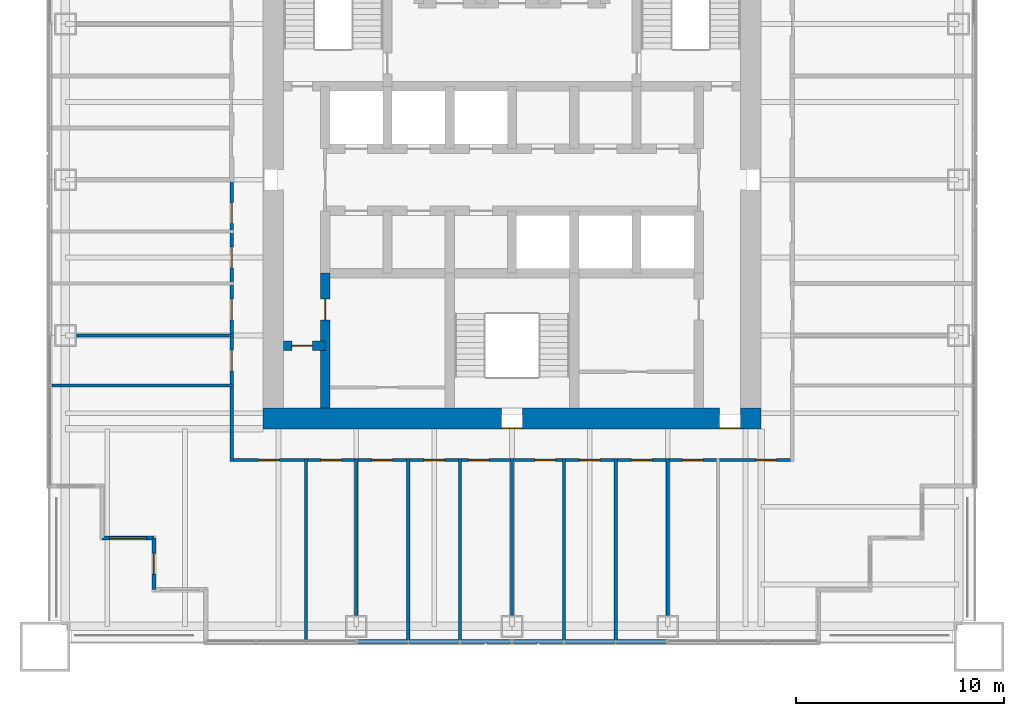
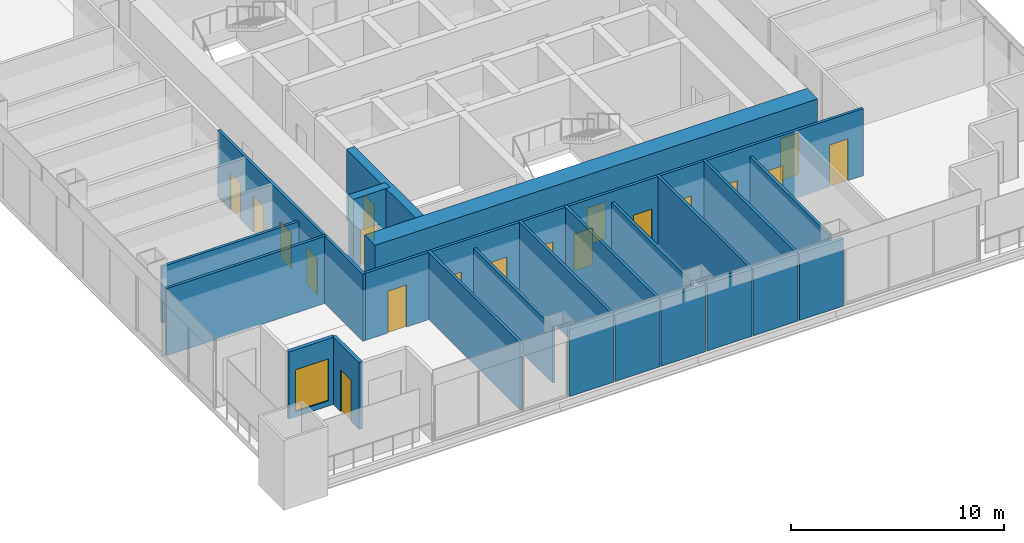
# One storey, part 8 of 14: 23 walls, 19 doors, 1 window, 20 openings.
"""IFC4 building model written with IfcOpenShell, lengths in metres."""

from ifc_helpers import new_model, si_unit, direction, frame, frame_2d, origin, place, context, subcontext, project, spatial, rectangle, extrude, material, layer, layer_set, type_object, element, fill, save


model = new_model("IFC4")

# Units and contexts
model_context = context("Model", 3, precision=1e-05, world=origin(), true_north=direction((0.0, 1.0)))
body_context = subcontext(model_context, "Body", "Model", "MODEL_VIEW")
ifc_project = project(units=[si_unit("LENGTHUNIT", "METRE"), si_unit("AREAUNIT", "SQUARE_METRE"), si_unit("VOLUMEUNIT", "CUBIC_METRE"), si_unit("PLANEANGLEUNIT", "RADIAN"), si_unit("MASSUNIT", "GRAM", prefix="KILO")], contexts=[model_context])

# Site, building, storey
site_placement = place(None, origin())
site = spatial("IfcSite", under=ifc_project, at=site_placement, CompositionType="ELEMENT")
building_placement = place(site_placement, origin())
building = spatial("IfcBuilding", under=site, at=building_placement, Name="Tarangal Relay Tower", CompositionType="ELEMENT")
storey_placement = place(building_placement, frame((0.0, 0.0, 229.89990234375)))
storey = spatial("IfcBuildingStorey", under=building, at=storey_placement, Name="L49", CompositionType="ELEMENT", Elevation=229.89990234375)

# Wall, opening, door
ifc_material_1 = material(Name="Concrete fc' 60 MPa", Category="concrete")
ifc_layer_1 = layer(ifc_material_1, 0.449951171875)
ifc_layer_set_1 = layer_set([ifc_layer_1], Name="Core inner wall 450")
wall_type_1 = type_object("IfcWallType", Name="Core inner wall 450", PredefinedType="SHEAR", material=ifc_layer_set_1)
wall_1_placement = place(storey_placement, frame((-11.0, -8.0, 0.0), z_axis=(0.0, 0.0, 1.0), x_axis=(1.0, 0.0, 0.0)))
wall_1 = element("IfcWall", 1, at=wall_1_placement, inside=storey, type_object=wall_type_1, Name="Core wall YM8 L49", PredefinedType="SHEAR", context=body_context, shape_type="SweptSolid", body=[
    extrude(rectangle(XDim=2.0, YDim=0.449951171875, at=frame_2d((1.0, 0.0))), origin(), (0.0, 0.0, 1.0), 4.0),
])
opening_1_placement = place(wall_1_placement, frame((0.39990234375, 0.0, 0.0)))
opening_1 = element("IfcOpeningElement", 2, at=opening_1_placement, cuts=wall_1, Name="Opening D1", PredefinedType="OPENING", context=body_context, shape_type="SweptSolid", body=[
    extrude(rectangle(XDim=1.0, YDim=2.10009765625, at=frame_2d((0.5, 1.050048828125))), frame((0.0, 0.23486328125, 0.0), z_axis=(0.0, -1.0, 0.0), x_axis=(1.0, 0.0, 0.0)), (0.0, 0.0, 1.0), 0.469970703125),
])
ifc_material_2 = material(Name="Hardwood door", Category="wood")
door_type_1 = type_object("IfcDoorType", Name="WC door 1000 x 2100", OperationType="SINGLE_SWING_LEFT", PredefinedType="DOOR", material=ifc_material_2)
door_1_placement = place(opening_1_placement, origin())
door_1 = element("IfcDoor", 3, at=door_1_placement, inside=storey, type_object=door_type_1, Name="Accessible WC door L49", OperationType="SINGLE_SWING_LEFT", OverallHeight=2.10009765625, OverallWidth=1.0, PredefinedType="DOOR", context=body_context, shape_type="SweptSolid", body=[
    extrude(rectangle(XDim=1.0, YDim=2.10009765625, at=frame_2d((0.5, 1.050048828125))), frame((0.0, 0.02490234375, 0.0), z_axis=(0.0, -1.0, 0.0), x_axis=(1.0, 0.0, 0.0)), (0.0, 0.0, 1.0), 0.050048828125),
])
fill(opening_1, door_1)

wall_2_placement = place(storey_placement, frame((-9.0, -11.0, 0.0), z_axis=(0.0, 0.0, 1.0), x_axis=(0.0, 1.0, 0.0)))
wall_2 = element("IfcWall", 4, at=wall_2_placement, inside=storey, type_object=wall_type_1, Name="Core wall XM9W L49", PredefinedType="SHEAR", context=body_context, shape_type="SweptSolid", body=[
    extrude(rectangle(XDim=6.5, YDim=0.449951171875, at=frame_2d((3.25, 0.0))), origin(), (0.0, 0.0, 1.0), 4.0),
])
opening_2_placement = place(wall_2_placement, frame((4.25, 0.0, 0.0)))
opening_2 = element("IfcOpeningElement", 5, at=opening_2_placement, cuts=wall_2, Name="Opening D1", PredefinedType="OPENING", context=body_context, shape_type="SweptSolid", body=[
    extrude(rectangle(XDim=1.0, YDim=2.10009765625, at=frame_2d((0.5, 1.050048828125))), frame((0.0, 0.23486328125, 0.0), z_axis=(0.0, -1.0, 0.0), x_axis=(1.0, 0.0, 0.0)), (0.0, 0.0, 1.0), 0.469970703125),
])
door_2_placement = place(opening_2_placement, origin())
door_2 = element("IfcDoor", 6, at=door_2_placement, inside=storey, type_object=door_type_1, Name="Male WC door L49", OperationType="SINGLE_SWING_LEFT", OverallHeight=2.10009765625, OverallWidth=1.0, PredefinedType="DOOR", context=body_context, shape_type="SweptSolid", body=[
    extrude(rectangle(XDim=1.0, YDim=2.10009765625, at=frame_2d((0.5, 1.050048828125))), frame((0.0, 0.02490234375, 0.0), z_axis=(0.0, -1.0, 0.0), x_axis=(1.0, 0.0, 0.0)), (0.0, 0.0, 1.0), 0.050048828125),
])
fill(opening_2, door_2)

# Wall, openings, doors
ifc_layer_2 = layer(ifc_material_1, 1.0)
ifc_layer_set_2 = layer_set([ifc_layer_2], Name="Core wall 1000")
wall_type_2 = type_object("IfcWallType", Name="Core wall 1000", PredefinedType="SHEAR", material=ifc_layer_set_2)
wall_3_placement = place(storey_placement, frame((12.0, -11.5, 0.0), z_axis=(0.0, 0.0, 1.0), x_axis=(-1.0, 0.0, 0.0)))
wall_3 = element("IfcWall", 7, at=wall_3_placement, inside=storey, type_object=wall_type_2, Name="Core wall S L49", PredefinedType="SHEAR", context=body_context, shape_type="SweptSolid", body=[
    extrude(rectangle(XDim=24.0, YDim=1.0, at=frame_2d((12.0, 0.0))), origin(), (0.0, 0.0, 1.0), 4.0),
])
opening_3_placement = place(wall_3_placement, frame((11.5, 0.0, 0.0)))
opening_3 = element("IfcOpeningElement", 8, at=opening_3_placement, cuts=wall_3, Name="Opening FD1", PredefinedType="OPENING", context=body_context, shape_type="SweptSolid", body=[
    extrude(rectangle(XDim=1.0, YDim=2.10009765625, at=frame_2d((0.5, 1.050048828125))), frame((0.0, 0.510009765625, 0.0), z_axis=(0.0, -1.0, 0.0), x_axis=(1.0, 0.0, 0.0)), (0.0, 0.0, 1.0), 1.02001953125),
])
opening_4_placement = place(wall_3_placement, frame((1.0, 0.0, 0.0)))
opening_4 = element("IfcOpeningElement", 9, at=opening_4_placement, cuts=wall_3, Name="Opening FD3", PredefinedType="OPENING", context=body_context, shape_type="SweptSolid", body=[
    extrude(rectangle(XDim=1.0, YDim=2.39990234375, at=frame_2d((0.5, 1.199951171875))), frame((0.0, 0.510009765625, 0.0), z_axis=(0.0, -1.0, 0.0), x_axis=(1.0, 0.0, 0.0)), (0.0, 0.0, 1.0), 1.02001953125),
])
ifc_material_3 = material(Name="Steel door with hardwood frame", Category="steel")
door_type_2 = type_object("IfcDoorType", Name="Fire door 1000 x 2100", OperationType="SINGLE_SWING_LEFT", PredefinedType="DOOR", material=ifc_material_3)
door_3_placement = place(opening_3_placement, origin())
door_3 = element("IfcDoor", 10, at=door_3_placement, inside=storey, type_object=door_type_2, Name="Stair ST-C door L49", OperationType="SINGLE_SWING_LEFT", OverallHeight=2.10009765625, OverallWidth=1.0, PredefinedType="DOOR", context=body_context, shape_type="SweptSolid", body=[
    extrude(rectangle(XDim=1.0, YDim=2.10009765625, at=frame_2d((0.5, 1.050048828125))), frame((0.0, 0.48486328125, 0.0), z_axis=(0.0, -1.0, 0.0), x_axis=(1.0, 0.0, 0.0)), (0.0, 0.0, 1.0), 0.050048828125),
])
fill(opening_3, door_3)
door_type_3 = type_object("IfcDoorType", Name="Fire door 1000 x 2400 core entry", OperationType="SINGLE_SWING_RIGHT", PredefinedType="DOOR", material=ifc_material_3)
door_4_placement = place(opening_4_placement, origin())
door_4 = element("IfcDoor", 11, at=door_4_placement, inside=storey, type_object=door_type_3, Name="Core entry door south east L49", OperationType="SINGLE_SWING_RIGHT", OverallHeight=2.39990234375, OverallWidth=1.0, PredefinedType="DOOR", context=body_context, shape_type="SweptSolid", body=[
    extrude(rectangle(XDim=1.0, YDim=2.39990234375, at=frame_2d((0.5, 1.199951171875))), frame((0.0, 0.48486328125, 0.0), z_axis=(0.0, -1.0, 0.0), x_axis=(1.0, 0.0, 0.0)), (0.0, 0.0, 1.0), 0.050048828125),
])
fill(opening_4, door_4)

# Wall, opening, door
ifc_material_4 = material(Name="Black metal clad insulated wall", Category="steel")
ifc_layer_3 = layer(ifc_material_4, 0.199951171875)
ifc_layer_set_3 = layer_set([ifc_layer_3], Name="Corner wall metal clad 200")
wall_type_3 = type_object("IfcWallType", Name="Corner wall metal clad 200", PredefinedType="SOLIDWALL", material=ifc_layer_set_3)
wall_4_placement = place(storey_placement, frame((-17.25, -19.75, 0.0), z_axis=(0.0, 0.0, 1.0), x_axis=(0.0, 1.0, 0.0)))
wall_4 = element("IfcWall", 12, at=wall_4_placement, inside=storey, type_object=wall_type_3, Name="Facade wall S facade L49", PredefinedType="SOLIDWALL", context=body_context, shape_type="SweptSolid", body=[
    extrude(rectangle(XDim=2.5, YDim=0.199951171875, at=frame_2d((1.25, 0.0))), origin(), (0.0, 0.0, 1.0), 3.85009765625),
])
opening_5_placement = place(wall_4_placement, frame((0.75, 0.0, 0.0)))
opening_5 = element("IfcOpeningElement", 13, at=opening_5_placement, cuts=wall_4, Name="Opening TD1", PredefinedType="OPENING", context=body_context, shape_type="SweptSolid", body=[
    extrude(rectangle(XDim=1.0, YDim=2.39990234375, at=frame_2d((0.5, 1.199951171875))), frame((0.0, 0.10986328125, 0.0), z_axis=(0.0, -1.0, 0.0), x_axis=(1.0, 0.0, 0.0)), (0.0, 0.0, 1.0), 0.219970703125),
])
ifc_material_5 = material(Name="Aluminium glazed door", Category="aluminium")
door_type_4 = type_object("IfcDoorType", Name="Terrace door 1000 x 2400", OperationType="SINGLE_SWING_RIGHT", PredefinedType="DOOR", material=ifc_material_5)
door_5_placement = place(opening_5_placement, origin())
door_5 = element("IfcDoor", 14, at=door_5_placement, inside=storey, type_object=door_type_4, Name="Terrace door TD1 SW L49", OperationType="SINGLE_SWING_RIGHT", OverallHeight=2.39990234375, OverallWidth=1.0, PredefinedType="DOOR", context=body_context, shape_type="SweptSolid", body=[
    extrude(rectangle(XDim=1.0, YDim=2.39990234375, at=frame_2d((0.5, 1.199951171875))), frame((0.0, 0.02490234375, 0.0), z_axis=(0.0, -1.0, 0.0), x_axis=(1.0, 0.0, 0.0)), (0.0, 0.0, 1.0), 0.050048828125),
])
fill(opening_5, door_5)

# Wall, opening, window
wall_5_placement = place(storey_placement, frame((-17.25, -17.25, 0.0), z_axis=(0.0, 0.0, 1.0), x_axis=(-1.0, 0.0, 0.0)))
wall_5 = element("IfcWall", 15, at=wall_5_placement, inside=storey, type_object=wall_type_3, Name="Facade wall S facade L49", PredefinedType="SOLIDWALL", context=body_context, shape_type="SweptSolid", body=[
    extrude(rectangle(XDim=2.5, YDim=0.199951171875, at=frame_2d((1.25, 0.0))), origin(), (0.0, 0.0, 1.0), 3.85009765625),
])
opening_6_placement = place(wall_5_placement, frame((0.35009765625, 0.0, 0.300048828125)))
opening_6 = element("IfcOpeningElement", 16, at=opening_6_placement, cuts=wall_5, Name="Opening WN2", PredefinedType="OPENING", context=body_context, shape_type="SweptSolid", body=[
    extrude(rectangle(XDim=1.800048828125, YDim=2.39990234375, at=frame_2d((0.89990234375, 1.199951171875))), frame((0.0, 0.10986328125, 0.0), z_axis=(0.0, -1.0, 0.0), x_axis=(1.0, 0.0, 0.0)), (0.0, 0.0, 1.0), 0.219970703125),
])
ifc_material_6 = material(Name="Dark tinted double glazing in black aluminium frame", Category="aluminium")
window_type = type_object("IfcWindowType", Name="Corner window 1800 x 2400", PartitioningType="SINGLE_PANEL", PredefinedType="WINDOW", material=ifc_material_6)
window_placement = place(opening_6_placement, origin())
window = element("IfcWindow", 17, at=window_placement, inside=storey, type_object=window_type, Name="Corner window WN2 S facade L49", OverallHeight=2.39990234375, OverallWidth=1.800048828125, PartitioningType="SINGLE_PANEL", PredefinedType="WINDOW", context=body_context, shape_type="SweptSolid", body=[
    extrude(rectangle(XDim=1.800048828125, YDim=2.39990234375, at=frame_2d((0.89990234375, 1.199951171875))), frame((0.0, 0.030029296875, 0.0), z_axis=(0.0, -1.0, 0.0), x_axis=(1.0, 0.0, 0.0)), (0.0, 0.0, 1.0), 0.06005859375),
])
fill(opening_6, window)

# Walls
ifc_layer_4 = layer(ifc_material_4, 0.199951171875)
ifc_layer_set_4 = layer_set([ifc_layer_4], Name="Facade infill wall metal clad 200")
wall_type_4 = type_object("IfcWallType", Name="Facade infill wall metal clad 200", PredefinedType="SOLIDWALL", material=ifc_layer_set_4)
wall_6_placement = place(storey_placement, frame((7.43505859375, -22.25, 0.0), z_axis=(0.0, 0.0, 1.0), x_axis=(-1.0, 0.0, 0.0)))
element("IfcWall", 18, at=wall_6_placement, inside=storey, type_object=wall_type_4, Name="Facade infill wall S facade L49 1.1", PredefinedType="SOLIDWALL", context=body_context, shape_type="SweptSolid", body=[
    extrude(rectangle(XDim=2.402587890625, YDim=0.199951171875, at=frame_2d((1.201171875, 0.0))), origin(), (0.0, 0.0, 1.0), 3.85009765625),
])
wall_7_placement = place(storey_placement, frame((4.967529296875, -22.25, 0.0), z_axis=(0.0, 0.0, 1.0), x_axis=(-1.0, 0.0, 0.0)))
element("IfcWall", 19, at=wall_7_placement, inside=storey, type_object=wall_type_4, Name="Facade infill wall S facade L49 2.1", PredefinedType="SOLIDWALL", context=body_context, shape_type="SweptSolid", body=[
    extrude(rectangle(XDim=2.43505859375, YDim=0.199951171875, at=frame_2d((1.217529296875, 0.0))), origin(), (0.0, 0.0, 1.0), 3.85009765625),
])
for number, where, z_axis, x_axis, name in (
    (20, (2.467529296875, -22.25, 0.0), (0.0, 0.0, 1.0), (-1.0, 0.0, 0.0), "Facade infill wall S facade L49 3.1"),
    (21, (-0.06494140625, -22.25, 0.0), (0.0, 0.0, 1.0), (-1.0, 0.0, 0.0), "Facade infill wall S facade L49 1.1"),
):
    element("IfcWall", number, at=place(storey_placement, frame(where, z_axis=z_axis, x_axis=x_axis)), inside=storey, type_object=wall_type_4, Name=name, PredefinedType="SOLIDWALL", context=body_context, shape_type="SweptSolid", body=[
        extrude(rectangle(XDim=2.402587890625, YDim=0.199951171875, at=frame_2d((1.201171875, 0.0))), origin(), (0.0, 0.0, 1.0), 3.85009765625),
    ])
wall_8_placement = place(storey_placement, frame((-2.532470703125, -22.25, 0.0), z_axis=(0.0, 0.0, 1.0), x_axis=(-1.0, 0.0, 0.0)))
element("IfcWall", 22, at=wall_8_placement, inside=storey, type_object=wall_type_4, Name="Facade infill wall S facade L49 2.1", PredefinedType="SOLIDWALL", context=body_context, shape_type="SweptSolid", body=[
    extrude(rectangle(XDim=2.43505859375, YDim=0.199951171875, at=frame_2d((1.217529296875, 0.0))), origin(), (0.0, 0.0, 1.0), 3.85009765625),
])
wall_9_placement = place(storey_placement, frame((-5.032470703125, -22.25, 0.0), z_axis=(0.0, 0.0, 1.0), x_axis=(-1.0, 0.0, 0.0)))
element("IfcWall", 23, at=wall_9_placement, inside=storey, type_object=wall_type_4, Name="Facade infill wall S facade L49 3.1", PredefinedType="SOLIDWALL", context=body_context, shape_type="SweptSolid", body=[
    extrude(rectangle(XDim=2.402587890625, YDim=0.199951171875, at=frame_2d((1.201171875, 0.0))), origin(), (0.0, 0.0, 1.0), 3.85009765625),
])

# Wall, openings, doors
ifc_material_7 = material(Name="Gypsum board on steel studs", Category="steel")
ifc_layer_5 = layer(ifc_material_7, 0.14990234375)
ifc_layer_set_5 = layer_set([ifc_layer_5], Name="Partition 150")
wall_type_5 = type_object("IfcWallType", Name="Partition 150", PredefinedType="PARTITIONING", material=ifc_layer_set_5)
wall_10_placement = place(storey_placement, frame((-13.574951171875, -13.5, 0.0), z_axis=(0.0, 0.0, 1.0), x_axis=(1.0, 0.0, 0.0)))
wall_10 = element("IfcWall", 24, at=wall_10_placement, inside=storey, type_object=wall_type_5, Name="Partition PT1 L49", PredefinedType="PARTITIONING", context=body_context, shape_type="SweptSolid", body=[
    extrude(rectangle(XDim=27.14990234375, YDim=0.14990234375, at=frame_2d((13.574951171875, 0.0))), origin(), (0.0, 0.0, 1.0), 3.85009765625),
])
opening_7_placement = place(wall_10_placement, frame((21.783447265625, 0.0, 0.0)))
opening_7 = element("IfcOpeningElement", 25, at=opening_7_placement, cuts=wall_10, Name="Opening D2", PredefinedType="OPENING", context=body_context, shape_type="SweptSolid", body=[
    extrude(rectangle(XDim=1.0, YDim=2.10009765625, at=frame_2d((0.5, 1.050048828125))), frame((0.0, 0.0849609375, 0.0), z_axis=(0.0, -1.0, 0.0), x_axis=(1.0, 0.0, 0.0)), (0.0, 0.0, 1.0), 0.169921875),
])
opening_8_placement = place(wall_10_placement, frame((19.324951171875, 0.0, 0.0)))
opening_8 = element("IfcOpeningElement", 26, at=opening_8_placement, cuts=wall_10, Name="Opening D2", PredefinedType="OPENING", context=body_context, shape_type="SweptSolid", body=[
    extrude(rectangle(XDim=1.0, YDim=2.10009765625, at=frame_2d((0.5, 1.050048828125))), frame((0.0, 0.0849609375, 0.0), z_axis=(0.0, -1.0, 0.0), x_axis=(1.0, 0.0, 0.0)), (0.0, 0.0, 1.0), 0.169921875),
])
opening_9_placement = place(wall_10_placement, frame((16.824951171875, 0.0, 0.0)))
opening_9 = element("IfcOpeningElement", 27, at=opening_9_placement, cuts=wall_10, Name="Opening D2", PredefinedType="OPENING", context=body_context, shape_type="SweptSolid", body=[
    extrude(rectangle(XDim=1.0, YDim=2.10009765625, at=frame_2d((0.5, 1.050048828125))), frame((0.0, 0.0849609375, 0.0), z_axis=(0.0, -1.0, 0.0), x_axis=(1.0, 0.0, 0.0)), (0.0, 0.0, 1.0), 0.169921875),
])
opening_10_placement = place(wall_10_placement, frame((14.675048828125, 0.0, 0.0)))
opening_10 = element("IfcOpeningElement", 28, at=opening_10_placement, cuts=wall_10, Name="Opening D2", PredefinedType="OPENING", context=body_context, shape_type="SweptSolid", body=[
    extrude(rectangle(XDim=1.0, YDim=2.10009765625, at=frame_2d((0.5, 1.050048828125))), frame((0.0, 0.0849609375, 0.0), z_axis=(0.0, -1.0, 0.0), x_axis=(1.0, 0.0, 0.0)), (0.0, 0.0, 1.0), 0.169921875),
])
opening_11_placement = place(wall_10_placement, frame((11.47509765625, 0.0, 0.0)))
opening_11 = element("IfcOpeningElement", 29, at=opening_11_placement, cuts=wall_10, Name="Opening D2", PredefinedType="OPENING", context=body_context, shape_type="SweptSolid", body=[
    extrude(rectangle(XDim=1.0, YDim=2.10009765625, at=frame_2d((0.5, 1.050048828125))), frame((0.0, 0.0849609375, 0.0), z_axis=(0.0, -1.0, 0.0), x_axis=(1.0, 0.0, 0.0)), (0.0, 0.0, 1.0), 0.169921875),
])
opening_12_placement = place(wall_10_placement, frame((9.324951171875, 0.0, 0.0)))
opening_12 = element("IfcOpeningElement", 30, at=opening_12_placement, cuts=wall_10, Name="Opening D2", PredefinedType="OPENING", context=body_context, shape_type="SweptSolid", body=[
    extrude(rectangle(XDim=1.0, YDim=2.10009765625, at=frame_2d((0.5, 1.050048828125))), frame((0.0, 0.0849609375, 0.0), z_axis=(0.0, -1.0, 0.0), x_axis=(1.0, 0.0, 0.0)), (0.0, 0.0, 1.0), 0.169921875),
])
opening_13_placement = place(wall_10_placement, frame((6.824951171875, 0.0, 0.0)))
opening_13 = element("IfcOpeningElement", 31, at=opening_13_placement, cuts=wall_10, Name="Opening D2", PredefinedType="OPENING", context=body_context, shape_type="SweptSolid", body=[
    extrude(rectangle(XDim=1.0, YDim=2.10009765625, at=frame_2d((0.5, 1.050048828125))), frame((0.0, 0.0849609375, 0.0), z_axis=(0.0, -1.0, 0.0), x_axis=(1.0, 0.0, 0.0)), (0.0, 0.0, 1.0), 0.169921875),
])
opening_14_placement = place(wall_10_placement, frame((4.366455078125, 0.0, 0.0)))
opening_14 = element("IfcOpeningElement", 32, at=opening_14_placement, cuts=wall_10, Name="Opening D2", PredefinedType="OPENING", context=body_context, shape_type="SweptSolid", body=[
    extrude(rectangle(XDim=1.0, YDim=2.10009765625, at=frame_2d((0.5, 1.050048828125))), frame((0.0, 0.0849609375, 0.0), z_axis=(0.0, -1.0, 0.0), x_axis=(1.0, 0.0, 0.0)), (0.0, 0.0, 1.0), 0.169921875),
])
opening_15_placement = place(wall_10_placement, frame((25.318359375, 0.0, 0.0)))
opening_15 = element("IfcOpeningElement", 33, at=opening_15_placement, cuts=wall_10, Name="Opening SD1", PredefinedType="OPENING", context=body_context, shape_type="SweptSolid", body=[
    extrude(rectangle(XDim=1.0, YDim=2.39990234375, at=frame_2d((0.5, 1.199951171875))), frame((0.0, 0.0849609375, 0.0), z_axis=(0.0, -1.0, 0.0), x_axis=(1.0, 0.0, 0.0)), (0.0, 0.0, 1.0), 0.169921875),
])
opening_16_placement = place(wall_10_placement, frame((1.366455078125, 0.0, 0.0)))
opening_16 = element("IfcOpeningElement", 34, at=opening_16_placement, cuts=wall_10, Name="Opening SD1", PredefinedType="OPENING", context=body_context, shape_type="SweptSolid", body=[
    extrude(rectangle(XDim=1.0, YDim=2.39990234375, at=frame_2d((0.5, 1.199951171875))), frame((0.0, 0.0849609375, 0.0), z_axis=(0.0, -1.0, 0.0), x_axis=(1.0, 0.0, 0.0)), (0.0, 0.0, 1.0), 0.169921875),
])
door_type_5 = type_object("IfcDoorType", Name="Door 1000 x 2100", OperationType="SINGLE_SWING_LEFT", PredefinedType="DOOR", material=ifc_material_2)
door_6_placement = place(opening_7_placement, origin())
door_6 = element("IfcDoor", 35, at=door_6_placement, inside=storey, type_object=door_type_5, Name="Door D2 to cellular office L49-15", OperationType="SINGLE_SWING_LEFT", OverallHeight=2.10009765625, OverallWidth=1.0, PredefinedType="DOOR", context=body_context, shape_type="SweptSolid", body=[
    extrude(rectangle(XDim=1.0, YDim=2.10009765625, at=frame_2d((0.5, 1.050048828125))), frame((0.0, 0.02490234375, 0.0), z_axis=(0.0, -1.0, 0.0), x_axis=(1.0, 0.0, 0.0)), (0.0, 0.0, 1.0), 0.050048828125),
])
fill(opening_7, door_6)
door_7_placement = place(opening_8_placement, origin())
door_7 = element("IfcDoor", 36, at=door_7_placement, inside=storey, type_object=door_type_5, Name="Door D2 to cellular office L49-16", OperationType="SINGLE_SWING_LEFT", OverallHeight=2.10009765625, OverallWidth=1.0, PredefinedType="DOOR", context=body_context, shape_type="SweptSolid", body=[
    extrude(rectangle(XDim=1.0, YDim=2.10009765625, at=frame_2d((0.5, 1.050048828125))), frame((0.0, 0.02490234375, 0.0), z_axis=(0.0, -1.0, 0.0), x_axis=(1.0, 0.0, 0.0)), (0.0, 0.0, 1.0), 0.050048828125),
])
fill(opening_8, door_7)
door_8_placement = place(opening_9_placement, origin())
door_8 = element("IfcDoor", 37, at=door_8_placement, inside=storey, type_object=door_type_5, Name="Door D2 to tea pantry L49-17", OperationType="SINGLE_SWING_LEFT", OverallHeight=2.10009765625, OverallWidth=1.0, PredefinedType="DOOR", context=body_context, shape_type="SweptSolid", body=[
    extrude(rectangle(XDim=1.0, YDim=2.10009765625, at=frame_2d((0.5, 1.050048828125))), frame((0.0, 0.02490234375, 0.0), z_axis=(0.0, -1.0, 0.0), x_axis=(1.0, 0.0, 0.0)), (0.0, 0.0, 1.0), 0.050048828125),
])
fill(opening_9, door_8)
door_9_placement = place(opening_10_placement, origin())
door_9 = element("IfcDoor", 38, at=door_9_placement, inside=storey, type_object=door_type_5, Name="Door D2 to print room L49-18", OperationType="SINGLE_SWING_LEFT", OverallHeight=2.10009765625, OverallWidth=1.0, PredefinedType="DOOR", context=body_context, shape_type="SweptSolid", body=[
    extrude(rectangle(XDim=1.0, YDim=2.10009765625, at=frame_2d((0.5, 1.050048828125))), frame((0.0, 0.02490234375, 0.0), z_axis=(0.0, -1.0, 0.0), x_axis=(1.0, 0.0, 0.0)), (0.0, 0.0, 1.0), 0.050048828125),
])
fill(opening_10, door_9)
door_10_placement = place(opening_11_placement, origin())
door_10 = element("IfcDoor", 39, at=door_10_placement, inside=storey, type_object=door_type_5, Name="Door D2 to team room L49-19", OperationType="SINGLE_SWING_LEFT", OverallHeight=2.10009765625, OverallWidth=1.0, PredefinedType="DOOR", context=body_context, shape_type="SweptSolid", body=[
    extrude(rectangle(XDim=1.0, YDim=2.10009765625, at=frame_2d((0.5, 1.050048828125))), frame((0.0, 0.02490234375, 0.0), z_axis=(0.0, -1.0, 0.0), x_axis=(1.0, 0.0, 0.0)), (0.0, 0.0, 1.0), 0.050048828125),
])
fill(opening_11, door_10)
door_11_placement = place(opening_12_placement, origin())
door_11 = element("IfcDoor", 40, at=door_11_placement, inside=storey, type_object=door_type_5, Name="Door D2 to cellular office L49-20", OperationType="SINGLE_SWING_LEFT", OverallHeight=2.10009765625, OverallWidth=1.0, PredefinedType="DOOR", context=body_context, shape_type="SweptSolid", body=[
    extrude(rectangle(XDim=1.0, YDim=2.10009765625, at=frame_2d((0.5, 1.050048828125))), frame((0.0, 0.02490234375, 0.0), z_axis=(0.0, -1.0, 0.0), x_axis=(1.0, 0.0, 0.0)), (0.0, 0.0, 1.0), 0.050048828125),
])
fill(opening_12, door_11)
door_12_placement = place(opening_13_placement, origin())
door_12 = element("IfcDoor", 41, at=door_12_placement, inside=storey, type_object=door_type_5, Name="Door D2 to cellular office L49-21", OperationType="SINGLE_SWING_LEFT", OverallHeight=2.10009765625, OverallWidth=1.0, PredefinedType="DOOR", context=body_context, shape_type="SweptSolid", body=[
    extrude(rectangle(XDim=1.0, YDim=2.10009765625, at=frame_2d((0.5, 1.050048828125))), frame((0.0, 0.02490234375, 0.0), z_axis=(0.0, -1.0, 0.0), x_axis=(1.0, 0.0, 0.0)), (0.0, 0.0, 1.0), 0.050048828125),
])
fill(opening_13, door_12)
door_13_placement = place(opening_14_placement, origin())
door_13 = element("IfcDoor", 42, at=door_13_placement, inside=storey, type_object=door_type_5, Name="Door D2 to cellular office L49-22", OperationType="SINGLE_SWING_LEFT", OverallHeight=2.10009765625, OverallWidth=1.0, PredefinedType="DOOR", context=body_context, shape_type="SweptSolid", body=[
    extrude(rectangle(XDim=1.0, YDim=2.10009765625, at=frame_2d((0.5, 1.050048828125))), frame((0.0, 0.02490234375, 0.0), z_axis=(0.0, -1.0, 0.0), x_axis=(1.0, 0.0, 0.0)), (0.0, 0.0, 1.0), 0.050048828125),
])
fill(opening_14, door_13)
door_type_6 = type_object("IfcDoorType", Name="Suite entrance door 1000 x 2400", OperationType="SINGLE_SWING_RIGHT", PredefinedType="DOOR", material=ifc_material_3)
door_14_placement = place(opening_15_placement, origin())
door_14 = element("IfcDoor", 43, at=door_14_placement, inside=storey, type_object=door_type_6, Name="Door SD1 to open plan office L49-32", OperationType="SINGLE_SWING_RIGHT", OverallHeight=2.39990234375, OverallWidth=1.0, PredefinedType="DOOR", context=body_context, shape_type="SweptSolid", body=[
    extrude(rectangle(XDim=1.0, YDim=2.39990234375, at=frame_2d((0.5, 1.199951171875))), frame((0.0, 0.02490234375, 0.0), z_axis=(0.0, -1.0, 0.0), x_axis=(1.0, 0.0, 0.0)), (0.0, 0.0, 1.0), 0.050048828125),
])
fill(opening_15, door_14)
door_15_placement = place(opening_16_placement, origin())
door_15 = element("IfcDoor", 44, at=door_15_placement, inside=storey, type_object=door_type_6, Name="Door SD1 to open plan office L49-33", OperationType="SINGLE_SWING_RIGHT", OverallHeight=2.39990234375, OverallWidth=1.0, PredefinedType="DOOR", context=body_context, shape_type="SweptSolid", body=[
    extrude(rectangle(XDim=1.0, YDim=2.39990234375, at=frame_2d((0.5, 1.199951171875))), frame((0.0, 0.02490234375, 0.0), z_axis=(0.0, -1.0, 0.0), x_axis=(1.0, 0.0, 0.0)), (0.0, 0.0, 1.0), 0.050048828125),
])
fill(opening_16, door_15)

# Walls
wall_11_placement = place(storey_placement, frame((-22.14990234375, -9.9169921875, 0.0), z_axis=(0.0, 0.0, 1.0), x_axis=(1.0, 0.0, 0.0)))
element("IfcWall", 45, at=wall_11_placement, inside=storey, type_object=wall_type_5, Name="Partition PT1 L49", PredefinedType="PARTITIONING", context=body_context, shape_type="SweptSolid", body=[
    extrude(rectangle(XDim=8.724853515625, YDim=0.14990234375, at=frame_2d((4.3623046875, 0.0))), origin(), (0.0, 0.0, 1.0), 3.85009765625),
])
wall_12_placement = place(storey_placement, frame((-20.989990234375, -7.5, 0.0), z_axis=(0.0, 0.0, 1.0), x_axis=(1.0, 0.0, 0.0)))
element("IfcWall", 46, at=wall_12_placement, inside=storey, type_object=wall_type_5, Name="Partition PT1 L49", PredefinedType="PARTITIONING", context=body_context, shape_type="SweptSolid", body=[
    extrude(rectangle(XDim=7.56494140625, YDim=0.14990234375, at=frame_2d((3.782470703125, 0.0))), origin(), (0.0, 0.0, 1.0), 3.238037109375),
])

# Wall, openings, doors
wall_13_placement = place(storey_placement, frame((-13.5, -13.574951171875, 0.0), z_axis=(0.0, 0.0, 1.0), x_axis=(0.0, 1.0, 0.0)))
wall_13 = element("IfcWall", 47, at=wall_13_placement, inside=storey, type_object=wall_type_5, Name="Partition PT1 L49", PredefinedType="PARTITIONING", context=body_context, shape_type="SweptSolid", body=[
    extrude(rectangle(XDim=13.64990234375, YDim=0.14990234375, at=frame_2d((6.824951171875, 0.0))), origin(), (0.0, 0.0, 1.0), 3.85009765625),
])
opening_17_placement = place(wall_13_placement, frame((4.366455078125, 0.0, 0.0)))
opening_17 = element("IfcOpeningElement", 48, at=opening_17_placement, cuts=wall_13, Name="Opening D2", PredefinedType="OPENING", context=body_context, shape_type="SweptSolid", body=[
    extrude(rectangle(XDim=1.0, YDim=2.10009765625, at=frame_2d((0.5, 1.050048828125))), frame((0.0, 0.0849609375, 0.0), z_axis=(0.0, -1.0, 0.0), x_axis=(1.0, 0.0, 0.0)), (0.0, 0.0, 1.0), 0.169921875),
])
opening_18_placement = place(wall_13_placement, frame((6.824951171875, 0.0, 0.0)))
opening_18 = element("IfcOpeningElement", 49, at=opening_18_placement, cuts=wall_13, Name="Opening D2", PredefinedType="OPENING", context=body_context, shape_type="SweptSolid", body=[
    extrude(rectangle(XDim=1.0, YDim=2.10009765625, at=frame_2d((0.5, 1.050048828125))), frame((0.0, 0.0849609375, 0.0), z_axis=(0.0, -1.0, 0.0), x_axis=(1.0, 0.0, 0.0)), (0.0, 0.0, 1.0), 0.169921875),
])
opening_19_placement = place(wall_13_placement, frame((9.324951171875, 0.0, 0.0)))
opening_19 = element("IfcOpeningElement", 50, at=opening_19_placement, cuts=wall_13, Name="Opening D2", PredefinedType="OPENING", context=body_context, shape_type="SweptSolid", body=[
    extrude(rectangle(XDim=1.0, YDim=2.10009765625, at=frame_2d((0.5, 1.050048828125))), frame((0.0, 0.0849609375, 0.0), z_axis=(0.0, -1.0, 0.0), x_axis=(1.0, 0.0, 0.0)), (0.0, 0.0, 1.0), 0.169921875),
])
opening_20_placement = place(wall_13_placement, frame((11.47509765625, 0.0, 0.0)))
opening_20 = element("IfcOpeningElement", 51, at=opening_20_placement, cuts=wall_13, Name="Opening D2", PredefinedType="OPENING", context=body_context, shape_type="SweptSolid", body=[
    extrude(rectangle(XDim=1.0, YDim=2.10009765625, at=frame_2d((0.5, 1.050048828125))), frame((0.0, 0.0849609375, 0.0), z_axis=(0.0, -1.0, 0.0), x_axis=(1.0, 0.0, 0.0)), (0.0, 0.0, 1.0), 0.169921875),
])
door_16_placement = place(opening_17_placement, origin())
door_16 = element("IfcDoor", 52, at=door_16_placement, inside=storey, type_object=door_type_5, Name="Door D2 to cellular office L49-23", OperationType="SINGLE_SWING_LEFT", OverallHeight=2.10009765625, OverallWidth=1.0, PredefinedType="DOOR", context=body_context, shape_type="SweptSolid", body=[
    extrude(rectangle(XDim=1.0, YDim=2.10009765625, at=frame_2d((0.5, 1.050048828125))), frame((0.0, 0.02490234375, 0.0), z_axis=(0.0, -1.0, 0.0), x_axis=(1.0, 0.0, 0.0)), (0.0, 0.0, 1.0), 0.050048828125),
])
fill(opening_17, door_16)
door_17_placement = place(opening_18_placement, origin())
door_17 = element("IfcDoor", 53, at=door_17_placement, inside=storey, type_object=door_type_5, Name="Door D2 to cellular office L49-24", OperationType="SINGLE_SWING_LEFT", OverallHeight=2.10009765625, OverallWidth=1.0, PredefinedType="DOOR", context=body_context, shape_type="SweptSolid", body=[
    extrude(rectangle(XDim=1.0, YDim=2.10009765625, at=frame_2d((0.5, 1.050048828125))), frame((0.0, 0.02490234375, 0.0), z_axis=(0.0, -1.0, 0.0), x_axis=(1.0, 0.0, 0.0)), (0.0, 0.0, 1.0), 0.050048828125),
])
fill(opening_18, door_17)
door_18_placement = place(opening_19_placement, origin())
door_18 = element("IfcDoor", 54, at=door_18_placement, inside=storey, type_object=door_type_5, Name="Door D2 to cellular office L49-25", OperationType="SINGLE_SWING_LEFT", OverallHeight=2.10009765625, OverallWidth=1.0, PredefinedType="DOOR", context=body_context, shape_type="SweptSolid", body=[
    extrude(rectangle(XDim=1.0, YDim=2.10009765625, at=frame_2d((0.5, 1.050048828125))), frame((0.0, 0.02490234375, 0.0), z_axis=(0.0, -1.0, 0.0), x_axis=(1.0, 0.0, 0.0)), (0.0, 0.0, 1.0), 0.050048828125),
])
fill(opening_19, door_18)
door_19_placement = place(opening_20_placement, origin())
door_19 = element("IfcDoor", 55, at=door_19_placement, inside=storey, type_object=door_type_5, Name="Door D2 to cellular office L49-26", OperationType="SINGLE_SWING_LEFT", OverallHeight=2.10009765625, OverallWidth=1.0, PredefinedType="DOOR", context=body_context, shape_type="SweptSolid", body=[
    extrude(rectangle(XDim=1.0, YDim=2.10009765625, at=frame_2d((0.5, 1.050048828125))), frame((0.0, 0.02490234375, 0.0), z_axis=(0.0, -1.0, 0.0), x_axis=(1.0, 0.0, 0.0)), (0.0, 0.0, 1.0), 0.050048828125),
])
fill(opening_20, door_19)

# Walls
wall_14_placement = place(storey_placement, frame((-9.9169921875, -22.14990234375, 0.0), z_axis=(0.0, 0.0, 1.0), x_axis=(0.0, 1.0, 0.0)))
element("IfcWall", 56, at=wall_14_placement, inside=storey, type_object=wall_type_5, Name="Partition PT1 L49", PredefinedType="PARTITIONING", context=body_context, shape_type="SweptSolid", body=[
    extrude(rectangle(XDim=8.724853515625, YDim=0.14990234375, at=frame_2d((4.3623046875, 0.0))), origin(), (0.0, 0.0, 1.0), 3.85009765625),
])
wall_15_placement = place(storey_placement, frame((-7.5, -20.989990234375, 0.0), z_axis=(0.0, 0.0, 1.0), x_axis=(0.0, 1.0, 0.0)))
element("IfcWall", 57, at=wall_15_placement, inside=storey, type_object=wall_type_5, Name="Partition PT1 L49", PredefinedType="PARTITIONING", context=body_context, shape_type="SweptSolid", body=[
    extrude(rectangle(XDim=7.56494140625, YDim=0.14990234375, at=frame_2d((3.782470703125, 0.0))), origin(), (0.0, 0.0, 1.0), 3.238037109375),
])
for number, where, z_axis, x_axis, name in (
    (58, (-5.0, -22.14990234375, 0.0), (0.0, 0.0, 1.0), (0.0, 1.0, 0.0), "Partition PT1 L49"),
    (59, (-2.5, -22.14990234375, 0.0), (0.0, 0.0, 1.0), (0.0, 1.0, 0.0), "Partition PT1 L49"),
):
    element("IfcWall", number, at=place(storey_placement, frame(where, z_axis=z_axis, x_axis=x_axis)), inside=storey, type_object=wall_type_5, Name=name, PredefinedType="PARTITIONING", context=body_context, shape_type="SweptSolid", body=[
        extrude(rectangle(XDim=8.724853515625, YDim=0.14990234375, at=frame_2d((4.3623046875, 0.0))), origin(), (0.0, 0.0, 1.0), 3.85009765625),
    ])
wall_16_placement = place(storey_placement, frame((0.0, -20.989990234375, 0.0), z_axis=(0.0, 0.0, 1.0), x_axis=(0.0, 1.0, 0.0)))
element("IfcWall", 60, at=wall_16_placement, inside=storey, type_object=wall_type_5, Name="Partition PT1 L49", PredefinedType="PARTITIONING", context=body_context, shape_type="SweptSolid", body=[
    extrude(rectangle(XDim=7.56494140625, YDim=0.14990234375, at=frame_2d((3.782470703125, 0.0))), origin(), (0.0, 0.0, 1.0), 3.238037109375),
])
for number, where, z_axis, x_axis, name in (
    (61, (2.5, -22.14990234375, 0.0), (0.0, 0.0, 1.0), (0.0, 1.0, 0.0), "Partition PT1 L49"),
    (62, (5.0, -22.14990234375, 0.0), (0.0, 0.0, 1.0), (0.0, 1.0, 0.0), "Partition PT1 L49"),
):
    element("IfcWall", number, at=place(storey_placement, frame(where, z_axis=z_axis, x_axis=x_axis)), inside=storey, type_object=wall_type_5, Name=name, PredefinedType="PARTITIONING", context=body_context, shape_type="SweptSolid", body=[
        extrude(rectangle(XDim=8.724853515625, YDim=0.14990234375, at=frame_2d((4.3623046875, 0.0))), origin(), (0.0, 0.0, 1.0), 3.85009765625),
    ])
wall_17_placement = place(storey_placement, frame((7.5, -20.989990234375, 0.0), z_axis=(0.0, 0.0, 1.0), x_axis=(0.0, 1.0, 0.0)))
element("IfcWall", 63, at=wall_17_placement, inside=storey, type_object=wall_type_5, Name="Partition PT1 L49", PredefinedType="PARTITIONING", context=body_context, shape_type="SweptSolid", body=[
    extrude(rectangle(XDim=7.56494140625, YDim=0.14990234375, at=frame_2d((3.782470703125, 0.0))), origin(), (0.0, 0.0, 1.0), 3.238037109375),
])

save(model, "model.ifc")
